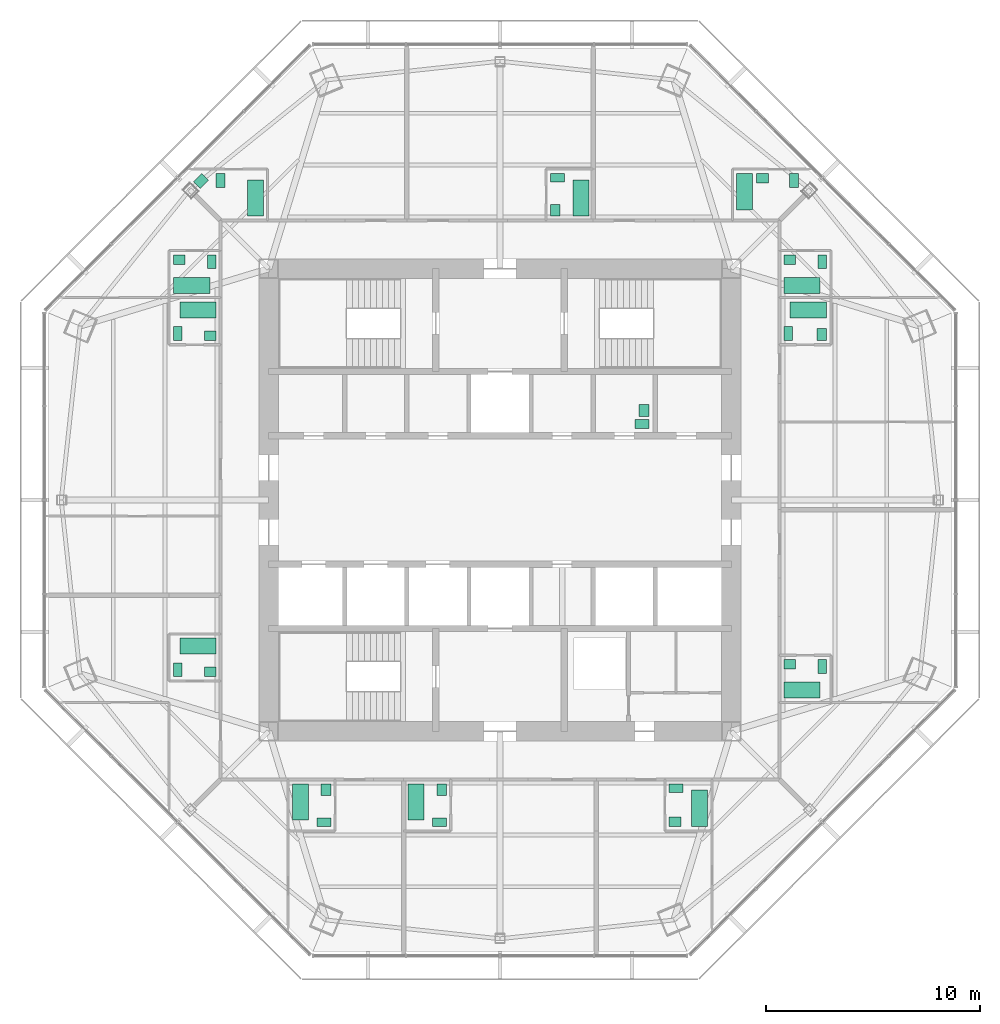
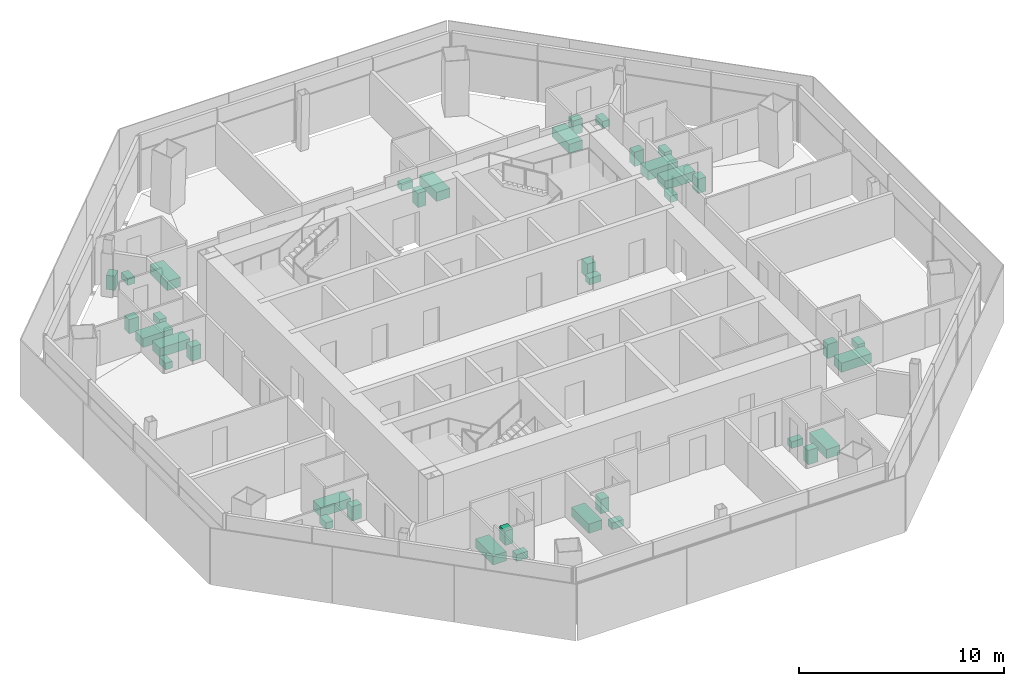
# One storey, part 14 of 14: 38 sanitary terminals.
"""IFC4 building model written with IfcOpenShell, lengths in metres."""

from ifc_helpers import new_model, si_unit, direction, frame, origin, origin_2d, place, context, subcontext, project, spatial, rectangle, extrude, material, type_object, element, save


model = new_model("IFC4")

# Units and contexts
model_context = context("Model", 3, precision=1e-05, world=origin(), true_north=direction((0.0, 1.0)))
body_context = subcontext(model_context, "Body", "Model", "MODEL_VIEW")
ifc_project = project(units=[si_unit("LENGTHUNIT", "METRE"), si_unit("AREAUNIT", "SQUARE_METRE"), si_unit("VOLUMEUNIT", "CUBIC_METRE"), si_unit("PLANEANGLEUNIT", "RADIAN"), si_unit("MASSUNIT", "GRAM", prefix="KILO")], contexts=[model_context])

# Site, building, storey
site_placement = place(None, origin())
site = spatial("IfcSite", under=ifc_project, at=site_placement, CompositionType="ELEMENT")
building_placement = place(site_placement, origin())
building = spatial("IfcBuilding", under=site, at=building_placement, Name="Mashrafa Tower", CompositionType="ELEMENT")
storey_placement = place(building_placement, frame((0.0, 0.0, 238.0)))
storey = spatial("IfcBuildingStorey", under=building, at=storey_placement, Name="L56", CompositionType="ELEMENT", Elevation=238.0)

# Sanitary terminals
ifc_material_1 = material(Name="Enamelled steel", Category="steel")
sanitary_terminal_type_1 = type_object("IfcSanitaryTerminalType", Name="Bath 1700 x 750", PredefinedType="BATH", material=ifc_material_1)
for number, where, z_axis, x_axis, name in (
    (1, (14.10009765625, -8.875, 0.0), (0.0, 0.0, 1.0), (1.0, 0.0, 0.0), "Bath Apartment 5601 Bathroom"),
    (2, (14.10009765625, 10.02490234375, 0.0), (0.0, 0.0, 1.0), (1.0, 0.0, 0.0), "Bath Apartment 5602 En-suite Bathroom"),
    (3, (14.39990234375, 8.875, 0.0), (0.0, 0.0, 1.0), (-1.0, 0.0, 0.0), "Bath Apartment 5602 Bathroom"),
    (4, (11.425048828125, 14.39990234375, 0.0), (0.0, 0.0, 1.0), (0.0, -1.0, 0.0), "Bath Apartment 5603 Bathroom"),
    (5, (3.77490234375, 14.10009765625, 0.0), (0.0, 0.0, 1.0), (0.0, 1.0, 0.0), "Bath Apartment 5604 Bathroom"),
    (6, (-11.425048828125, 14.10009765625, 0.0), (0.0, 0.0, 1.0), (0.0, 1.0, 0.0), "Bath Apartment 5605 Bathroom"),
    (7, (-14.39990234375, 10.02490234375, 0.0), (0.0, 0.0, 1.0), (1.0, 0.0, 0.0), "Bath Apartment 5606 En-suite Bathroom"),
    (8, (-14.10009765625, 8.875, 0.0), (0.0, 0.0, 1.0), (-1.0, 0.0, 0.0), "Bath Apartment 5606 Bathroom"),
    (9, (-14.10009765625, -6.824951171875, 0.0), (0.0, 0.0, 1.0), (-1.0, 0.0, 0.0), "Bath Apartment 5607 Bathroom"),
    (10, (-9.324951171875, -14.10009765625, 0.0), (0.0, 0.0, 1.0), (0.0, -1.0, 0.0), "Bath Apartment 5608 Bathroom"),
    (11, (-3.925048828125, -14.10009765625, 0.0), (0.0, 0.0, 1.0), (0.0, -1.0, 0.0), "Bath Apartment 5609 Bathroom"),
    (12, (9.324951171875, -14.39990234375, 0.0), (0.0, 0.0, 1.0), (0.0, 1.0, 0.0), "Bath Apartment 5610 Bathroom"),
):
    element("IfcSanitaryTerminal", number, at=place(storey_placement, frame(where, z_axis=z_axis, x_axis=x_axis)), inside=storey, type_object=sanitary_terminal_type_1, Name=name, PredefinedType="BATH", context=body_context, shape_type="SweptSolid", body=[
        extrude(rectangle(XDim=1.699951171875, YDim=0.75, at=origin_2d()), origin(), (0.0, 0.0, 1.0), 0.550048828125),
    ])
ifc_material_2 = material(Name="Vitreous china")
sanitary_terminal_type_2 = type_object("IfcSanitaryTerminalType", Name="Toilet pan 400 x 650", PredefinedType="TOILETPAN", material=ifc_material_2)
for number, where, z_axis, x_axis, name in (
    (13, (6.625, 3.550048828125, 0.0), (0.0, 0.0, 1.0), (0.0, 1.0, 0.0), "Toilet pan Staff WC L56"),
    (14, (15.050048828125, -7.77490234375, 0.0), (0.0, 0.0, 1.0), (-1.0, 0.0, 0.0), "Toilet pan Apartment 5601 Bathroom"),
    (15, (15.050048828125, 11.125, 0.0), (0.0, 0.0, 1.0), (-1.0, 0.0, 0.0), "Toilet pan Apartment 5602 En-suite Bathroom"),
    (16, (13.449951171875, 7.77490234375, 0.0), (0.0, 0.0, 1.0), (1.0, 0.0, 0.0), "Toilet pan Apartment 5602 Bathroom"),
    (17, (13.72802734375, 14.925048828125, 0.0), (0.0, 0.0, 1.0), (-1.0, 0.0, 0.0), "Toilet pan Apartment 5603 Bathroom"),
    (18, (2.675048828125, 15.050048828125, 0.0), (0.0, 0.0, 1.0), (0.0, -1.0, 0.0), "Toilet pan Apartment 5604 Bathroom"),
    (19, (-13.050048828125, 14.925048828125, 0.0), (0.0, 0.0, 1.0), (-1.0, 0.0, 0.0), "Toilet pan Apartment 5605 Bathroom"),
    (20, (-13.449951171875, 11.125, 0.0), (0.0, 0.0, 1.0), (-1.0, 0.0, 0.0), "Toilet pan Apartment 5606 En-suite Bathroom"),
    (21, (-15.050048828125, 7.77490234375, 0.0), (0.0, 0.0, 1.0), (1.0, 0.0, 0.0), "Toilet pan Apartment 5606 Bathroom"),
    (22, (-15.050048828125, -7.925048828125, 0.0), (0.0, 0.0, 1.0), (1.0, 0.0, 0.0), "Toilet pan Apartment 5607 Bathroom"),
    (23, (-8.22509765625, -15.050048828125, 0.0), (0.0, 0.0, 1.0), (0.0, 1.0, 0.0), "Toilet pan Apartment 5608 Bathroom"),
    (24, (-2.824951171875, -15.050048828125, 0.0), (0.0, 0.0, 1.0), (0.0, 1.0, 0.0), "Toilet pan Apartment 5609 Bathroom"),
    (25, (8.22509765625, -13.449951171875, 0.0), (0.0, 0.0, 1.0), (0.0, -1.0, 0.0), "Toilet pan Apartment 5610 Bathroom"),
):
    element("IfcSanitaryTerminal", number, at=place(storey_placement, frame(where, z_axis=z_axis, x_axis=x_axis)), inside=storey, type_object=sanitary_terminal_type_2, Name=name, PredefinedType="TOILETPAN", context=body_context, shape_type="SweptSolid", body=[
        extrude(rectangle(XDim=0.39990234375, YDim=0.64990234375, at=origin_2d()), origin(), (0.0, 0.0, 1.0), 0.39990234375),
    ])
ifc_material_3 = material(Name="Vitreous china")
sanitary_terminal_type_3 = type_object("IfcSanitaryTerminalType", Name="Wash basin 550 x 450", PredefinedType="WASHHANDBASIN", material=ifc_material_3)
for number, where, z_axis, x_axis, name in (
    (26, (6.72509765625, 4.175048828125, 0.0), (0.0, 0.0, 1.0), (0.0, 1.0, 0.0), "Wash basin Staff WC L56"),
    (27, (13.52490234375, -7.675048828125, 0.0), (0.0, 0.0, 1.0), (-1.0, 0.0, 0.0), "Wash basin Apartment 5601 Bathroom"),
    (28, (13.52490234375, 11.22509765625, 0.0), (0.0, 0.0, 1.0), (-1.0, 0.0, 0.0), "Wash basin Apartment 5602 En-suite Bathroom"),
    (29, (15.02490234375, 7.72509765625, 0.0), (0.0, 0.0, 1.0), (0.0, 1.0, 0.0), "Wash basin Apartment 5602 Bathroom"),
    (30, (12.253173828125, 15.02490234375, 0.0), (0.0, 0.0, 1.0), (-1.0, 0.0, 0.0), "Wash basin Apartment 5603 Bathroom"),
    (31, (2.574951171875, 13.52490234375, 0.0), (0.0, 0.0, 1.0), (0.0, -1.0, 0.0), "Wash basin Apartment 5604 Bathroom"),
    (32, (-13.96337890625, 14.896484375, 0.0), (0.0, 0.0, 1.0), (-0.707106781187, -0.707106781187, 0.0), "Wash basin Apartment 5605 Bathroom"),
    (33, (-14.97509765625, 11.22509765625, 0.0), (0.0, 0.0, 1.0), (-1.0, 0.0, 0.0), "Wash basin Apartment 5606 En-suite Bathroom"),
    (34, (-13.52490234375, 7.675048828125, 0.0), (0.0, 0.0, 1.0), (1.0, 0.0, 0.0), "Wash basin Apartment 5606 Bathroom"),
    (35, (-13.52490234375, -8.02490234375, 0.0), (0.0, 0.0, 1.0), (1.0, 0.0, 0.0), "Wash basin Apartment 5607 Bathroom"),
    (36, (-8.125, -13.52490234375, 0.0), (0.0, 0.0, 1.0), (0.0, 1.0, 0.0), "Wash basin Apartment 5608 Bathroom"),
    (37, (-2.72509765625, -13.52490234375, 0.0), (0.0, 0.0, 1.0), (0.0, 1.0, 0.0), "Wash basin Apartment 5609 Bathroom"),
    (38, (8.175048828125, -15.02490234375, 0.0), (0.0, 0.0, 1.0), (1.0, 0.0, 0.0), "Wash basin Apartment 5610 Bathroom"),
):
    element("IfcSanitaryTerminal", number, at=place(storey_placement, frame(where, z_axis=z_axis, x_axis=x_axis)), inside=storey, type_object=sanitary_terminal_type_3, Name=name, PredefinedType="WASHHANDBASIN", context=body_context, shape_type="SweptSolid", body=[
        extrude(rectangle(XDim=0.550048828125, YDim=0.449951171875, at=origin_2d()), origin(), (0.0, 0.0, 1.0), 0.85009765625),
    ])

save(model, "model.ifc")
